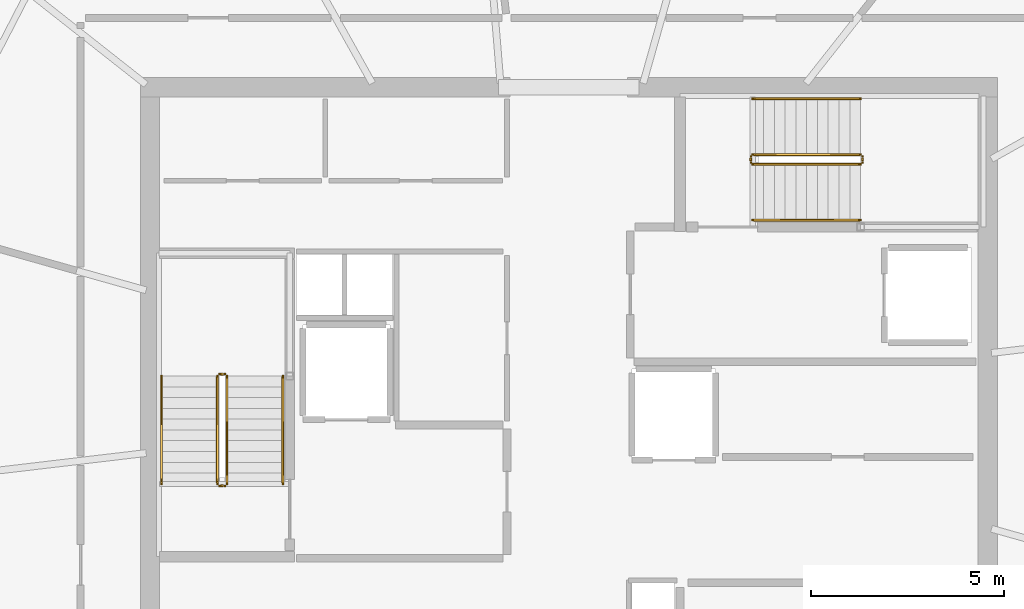
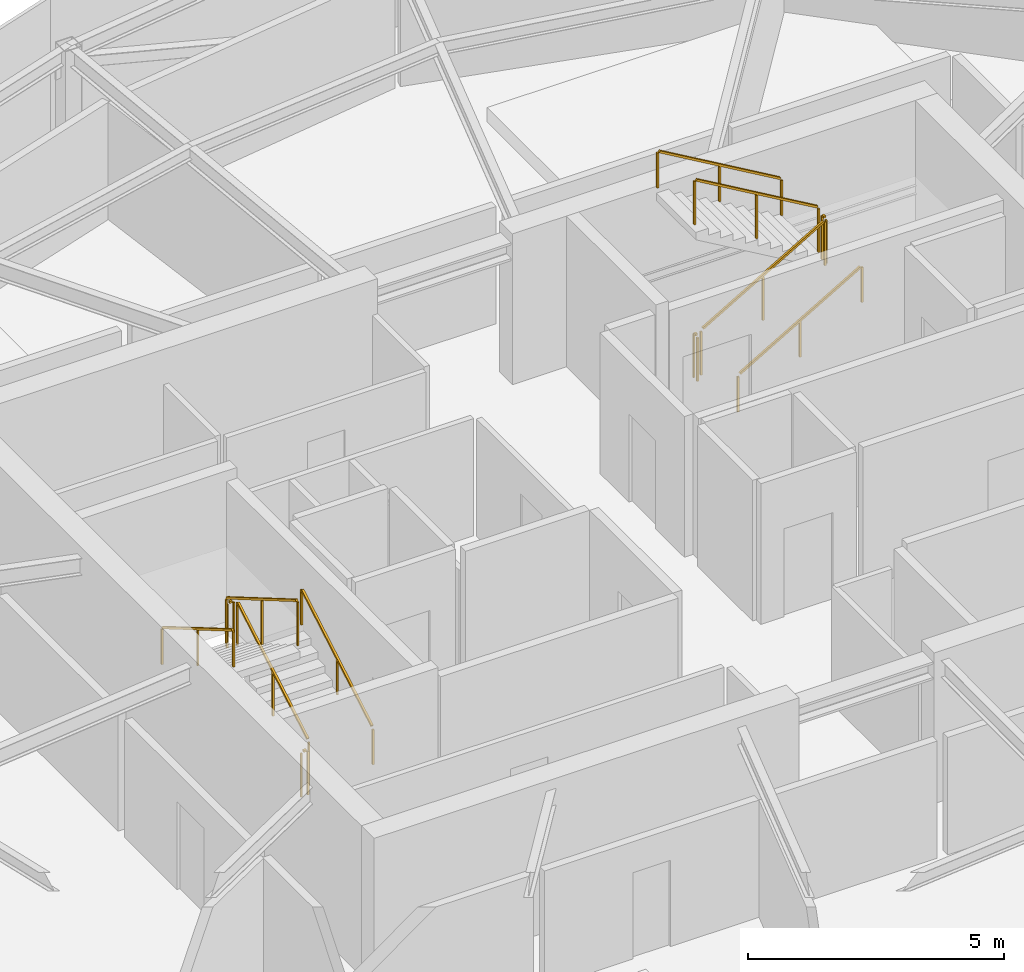
# One storey, part 10 of 10: 12 railings.
"""IFC4 building model written with IfcOpenShell, lengths in metres."""

from ifc_helpers import new_model, si_unit, direction, frame, origin, origin_2d, place, context, subcontext, project, spatial, rectangle, extrude, material, type_object, element, save


model = new_model("IFC4")

# Units and contexts
model_context = context("Model", 3, precision=1e-05, world=origin(), true_north=direction((0.0, 1.0)))
body_context = subcontext(model_context, "Body", "Model", "MODEL_VIEW")
ifc_project = project(units=[si_unit("LENGTHUNIT", "METRE"), si_unit("AREAUNIT", "SQUARE_METRE"), si_unit("VOLUMEUNIT", "CUBIC_METRE"), si_unit("PLANEANGLEUNIT", "RADIAN"), si_unit("MASSUNIT", "GRAM", prefix="KILO")], contexts=[model_context])

# Site, building, storey
site_placement = place(None, origin())
site = spatial("IfcSite", under=ifc_project, at=site_placement, CompositionType="ELEMENT")
building_placement = place(site_placement, origin())
building = spatial("IfcBuilding", under=site, at=building_placement, Name="Kazma Halo Residences", CompositionType="ELEMENT")
storey_placement = place(building_placement, frame((0.0, 0.0, 374.0)))
storey = spatial("IfcBuildingStorey", under=building, at=storey_placement, Name="L94", CompositionType="ELEMENT", Elevation=374.0)

# Railings
ifc_material_1 = material(Name="Painted Steel S355", Category="steel")
railing_type_1 = type_object("IfcRailingType", Name="RLG-STAIR-GRD-1100", PredefinedType="GUARDRAIL", material=ifc_material_1)
railing_1_placement = place(storey_placement, frame((39.550048828125, 39.949951171875, 0.16357421875)))
element("IfcRailing", 1, at=railing_1_placement, inside=storey, type_object=railing_type_1, Name="L94 ST-01 stair guard 1", PredefinedType="GUARDRAIL", context=body_context, shape_type="SweptSolid", body=[
    extrude(rectangle(XDim=0.050048828125, YDim=0.050048828125, at=origin_2d()), frame((0.0, 0.03662109375, 1.096435546875), z_axis=(0.0, 0.863360870873, 0.504586966384), x_axis=(-1.0, 0.0, 0.0)), (0.0, 0.0, 1.0), 3.158203125),
    extrude(rectangle(XDim=0.0400390625, YDim=0.0400390625, at=origin_2d()), origin(), (0.0, 0.0, 1.0), 1.0380859375),
    extrude(rectangle(XDim=0.0400390625, YDim=0.0400390625, at=origin_2d()), frame((0.0, 1.39990234375, 0.818359375)), (0.0, 0.0, 1.0), 1.0380859375),
    extrude(rectangle(XDim=0.0400390625, YDim=0.0400390625, at=origin_2d()), frame((0.0, 2.800048828125, 1.636474609375)), (0.0, 0.0, 1.0), 1.0380859375),
])
railing_2_placement = place(storey_placement, frame((39.5, 42.800048828125, 1.800048828125)))
element("IfcRailing", 2, at=railing_2_placement, inside=storey, type_object=railing_type_1, Name="L94 ST-01 stair guard 2", PredefinedType="GUARDRAIL", context=body_context, shape_type="SweptSolid", body=[
    extrude(rectangle(XDim=0.050048828125, YDim=0.050048828125, at=origin_2d()), frame((-0.04248046875, 0.0, 1.0751953125), z_axis=(-1.0, 0.0, 0.0), x_axis=(0.0, -1.0, 0.0)), (0.0, 0.0, 1.0), 0.06494140625),
    extrude(rectangle(XDim=0.0400390625, YDim=0.0400390625, at=origin_2d()), origin(), (0.0, 0.0, 1.0), 1.0380859375),
    extrude(rectangle(XDim=0.0400390625, YDim=0.0400390625, at=origin_2d()), frame((-0.14990234375, 0.0, 0.0)), (0.0, 0.0, 1.0), 1.0380859375),
])
railing_3_placement = place(storey_placement, frame((39.300048828125, 42.75, 1.963623046875)))
element("IfcRailing", 3, at=railing_3_placement, inside=storey, type_object=railing_type_1, Name="L94 ST-01 stair guard 3", PredefinedType="GUARDRAIL", context=body_context, shape_type="SweptSolid", body=[
    extrude(rectangle(XDim=0.050048828125, YDim=0.050048828125, at=origin_2d()), frame((0.0, -0.03662109375, 1.096435546875), z_axis=(0.0, -0.863360870873, 0.504586966384), x_axis=(1.0, 0.0, 0.0)), (0.0, 0.0, 1.0), 3.158203125),
    extrude(rectangle(XDim=0.0400390625, YDim=0.0400390625, at=origin_2d()), origin(), (0.0, 0.0, 1.0), 1.0380859375),
    extrude(rectangle(XDim=0.0400390625, YDim=0.0400390625, at=origin_2d()), frame((0.0, -1.39990234375, 0.818359375)), (0.0, 0.0, 1.0), 1.0380859375),
    extrude(rectangle(XDim=0.0400390625, YDim=0.0400390625, at=origin_2d()), frame((0.0, -2.800048828125, 1.636474609375)), (0.0, 0.0, 1.0), 1.0380859375),
])
railing_4_placement = place(storey_placement, frame((39.5, 39.89990234375, 0.0)))
element("IfcRailing", 4, at=railing_4_placement, inside=storey, type_object=railing_type_1, Name="L94 ST-01 stair guard 4", PredefinedType="GUARDRAIL", context=body_context, shape_type="SweptSolid", body=[
    extrude(rectangle(XDim=0.050048828125, YDim=0.050048828125, at=origin_2d()), frame((-0.04248046875, 0.0, 1.0751953125), z_axis=(-1.0, 0.0, 0.0), x_axis=(0.0, -1.0, 0.0)), (0.0, 0.0, 1.0), 0.06494140625),
    extrude(rectangle(XDim=0.0400390625, YDim=0.0400390625, at=origin_2d()), origin(), (0.0, 0.0, 1.0), 1.0380859375),
    extrude(rectangle(XDim=0.0400390625, YDim=0.0400390625, at=origin_2d()), frame((-0.14990234375, 0.0, 0.0)), (0.0, 0.0, 1.0), 1.0380859375),
])
railing_5_placement = place(storey_placement, frame((53.199951171875, 48.25, 0.16357421875)))
element("IfcRailing", 5, at=railing_5_placement, inside=storey, type_object=railing_type_1, Name="L94 ST-02 stair guard 1", PredefinedType="GUARDRAIL", context=body_context, shape_type="SweptSolid", body=[
    extrude(rectangle(XDim=0.050048828125, YDim=0.050048828125, at=origin_2d()), frame((0.03662109375, 0.0, 1.096435546875), z_axis=(0.863360870873, 0.0, 0.504586966384), x_axis=(0.0, 1.0, 0.0)), (0.0, 0.0, 1.0), 3.158203125),
    extrude(rectangle(XDim=0.0400390625, YDim=0.0400390625, at=origin_2d()), origin(), (0.0, 0.0, 1.0), 1.0380859375),
    extrude(rectangle(XDim=0.0400390625, YDim=0.0400390625, at=origin_2d()), frame((1.39990234375, 0.0, 0.818359375)), (0.0, 0.0, 1.0), 1.0380859375),
    extrude(rectangle(XDim=0.0400390625, YDim=0.0400390625, at=origin_2d()), frame((2.800048828125, 0.0, 1.636474609375)), (0.0, 0.0, 1.0), 1.0380859375),
])
railing_6_placement = place(storey_placement, frame((56.050048828125, 48.300048828125, 1.800048828125)))
element("IfcRailing", 6, at=railing_6_placement, inside=storey, type_object=railing_type_1, Name="L94 ST-02 stair guard 2", PredefinedType="GUARDRAIL", context=body_context, shape_type="SweptSolid", body=[
    extrude(rectangle(XDim=0.050048828125, YDim=0.050048828125, at=origin_2d()), frame((0.0, 0.04248046875, 1.0751953125), z_axis=(0.0, 1.0, 0.0), x_axis=(-1.0, 0.0, 0.0)), (0.0, 0.0, 1.0), 0.06494140625),
    extrude(rectangle(XDim=0.0400390625, YDim=0.0400390625, at=origin_2d()), origin(), (0.0, 0.0, 1.0), 1.0380859375),
    extrude(rectangle(XDim=0.0400390625, YDim=0.0400390625, at=origin_2d()), frame((0.0, 0.14990234375, 0.0)), (0.0, 0.0, 1.0), 1.0380859375),
])
railing_7_placement = place(storey_placement, frame((56.0, 48.5, 1.963623046875)))
element("IfcRailing", 7, at=railing_7_placement, inside=storey, type_object=railing_type_1, Name="L94 ST-02 stair guard 3", PredefinedType="GUARDRAIL", context=body_context, shape_type="SweptSolid", body=[
    extrude(rectangle(XDim=0.050048828125, YDim=0.050048828125, at=origin_2d()), frame((-0.03662109375, 0.0, 1.096435546875), z_axis=(-0.863360870873, 0.0, 0.504586966384), x_axis=(0.0, -1.0, 0.0)), (0.0, 0.0, 1.0), 3.158203125),
    extrude(rectangle(XDim=0.0400390625, YDim=0.0400390625, at=origin_2d()), origin(), (0.0, 0.0, 1.0), 1.0380859375),
    extrude(rectangle(XDim=0.0400390625, YDim=0.0400390625, at=origin_2d()), frame((-1.39990234375, 0.0, 0.818359375)), (0.0, 0.0, 1.0), 1.0380859375),
    extrude(rectangle(XDim=0.0400390625, YDim=0.0400390625, at=origin_2d()), frame((-2.800048828125, 0.0, 1.636474609375)), (0.0, 0.0, 1.0), 1.0380859375),
])
railing_8_placement = place(storey_placement, frame((53.14990234375, 48.300048828125, 0.0)))
element("IfcRailing", 8, at=railing_8_placement, inside=storey, type_object=railing_type_1, Name="L94 ST-02 stair guard 4", PredefinedType="GUARDRAIL", context=body_context, shape_type="SweptSolid", body=[
    extrude(rectangle(XDim=0.050048828125, YDim=0.050048828125, at=origin_2d()), frame((0.0, 0.04248046875, 1.0751953125), z_axis=(0.0, 1.0, 0.0), x_axis=(-1.0, 0.0, 0.0)), (0.0, 0.0, 1.0), 0.06494140625),
    extrude(rectangle(XDim=0.0400390625, YDim=0.0400390625, at=origin_2d()), origin(), (0.0, 0.0, 1.0), 1.0380859375),
    extrude(rectangle(XDim=0.0400390625, YDim=0.0400390625, at=origin_2d()), frame((0.0, 0.14990234375, 0.0)), (0.0, 0.0, 1.0), 1.0380859375),
])
ifc_material_2 = material(Name="Brushed Stainless Steel", Category="steel")
railing_type_2 = type_object("IfcRailingType", Name="RLG-STAIR-HND-900", PredefinedType="HANDRAIL", material=ifc_material_2)
railing_9_placement = place(storey_placement, frame((41.0, 39.949951171875, 0.16357421875)))
element("IfcRailing", 9, at=railing_9_placement, inside=storey, type_object=railing_type_2, Name="L94 ST-01 stair handrail 1", PredefinedType="HANDRAIL", context=body_context, shape_type="SweptSolid", body=[
    extrude(rectangle(XDim=0.050048828125, YDim=0.050048828125, at=origin_2d()), frame((0.0, 0.03662109375, 0.896240234375), z_axis=(0.0, 0.863360870873, 0.504586966384), x_axis=(-1.0, 0.0, 0.0)), (0.0, 0.0, 1.0), 3.158203125),
    extrude(rectangle(XDim=0.0400390625, YDim=0.0400390625, at=origin_2d()), origin(), (0.0, 0.0, 1.0), 0.837890625),
    extrude(rectangle(XDim=0.0400390625, YDim=0.0400390625, at=origin_2d()), frame((0.0, 1.39990234375, 0.818359375)), (0.0, 0.0, 1.0), 0.837890625),
    extrude(rectangle(XDim=0.0400390625, YDim=0.0400390625, at=origin_2d()), frame((0.0, 2.800048828125, 1.636474609375)), (0.0, 0.0, 1.0), 0.837890625),
])
railing_10_placement = place(storey_placement, frame((37.85009765625, 42.75, 1.963623046875)))
element("IfcRailing", 10, at=railing_10_placement, inside=storey, type_object=railing_type_2, Name="L94 ST-01 stair handrail 2", PredefinedType="HANDRAIL", context=body_context, shape_type="SweptSolid", body=[
    extrude(rectangle(XDim=0.050048828125, YDim=0.050048828125, at=origin_2d()), frame((0.0, -0.03662109375, 0.896240234375), z_axis=(0.0, -0.863360870873, 0.504586966384), x_axis=(1.0, 0.0, 0.0)), (0.0, 0.0, 1.0), 3.158203125),
    extrude(rectangle(XDim=0.0400390625, YDim=0.0400390625, at=origin_2d()), origin(), (0.0, 0.0, 1.0), 0.837890625),
    extrude(rectangle(XDim=0.0400390625, YDim=0.0400390625, at=origin_2d()), frame((0.0, -1.39990234375, 0.818359375)), (0.0, 0.0, 1.0), 0.837890625),
    extrude(rectangle(XDim=0.0400390625, YDim=0.0400390625, at=origin_2d()), frame((0.0, -2.800048828125, 1.636474609375)), (0.0, 0.0, 1.0), 0.837890625),
])
railing_11_placement = place(storey_placement, frame((53.199951171875, 46.800048828125, 0.16357421875)))
element("IfcRailing", 11, at=railing_11_placement, inside=storey, type_object=railing_type_2, Name="L94 ST-02 stair handrail 1", PredefinedType="HANDRAIL", context=body_context, shape_type="SweptSolid", body=[
    extrude(rectangle(XDim=0.050048828125, YDim=0.050048828125, at=origin_2d()), frame((0.03662109375, 0.0, 0.896240234375), z_axis=(0.863360870873, 0.0, 0.504586966384), x_axis=(0.0, 1.0, 0.0)), (0.0, 0.0, 1.0), 3.158203125),
    extrude(rectangle(XDim=0.0400390625, YDim=0.0400390625, at=origin_2d()), origin(), (0.0, 0.0, 1.0), 0.837890625),
    extrude(rectangle(XDim=0.0400390625, YDim=0.0400390625, at=origin_2d()), frame((1.39990234375, 0.0, 0.818359375)), (0.0, 0.0, 1.0), 0.837890625),
    extrude(rectangle(XDim=0.0400390625, YDim=0.0400390625, at=origin_2d()), frame((2.800048828125, 0.0, 1.636474609375)), (0.0, 0.0, 1.0), 0.837890625),
])
railing_12_placement = place(storey_placement, frame((56.0, 49.949951171875, 1.963623046875)))
element("IfcRailing", 12, at=railing_12_placement, inside=storey, type_object=railing_type_2, Name="L94 ST-02 stair handrail 2", PredefinedType="HANDRAIL", context=body_context, shape_type="SweptSolid", body=[
    extrude(rectangle(XDim=0.050048828125, YDim=0.050048828125, at=origin_2d()), frame((-0.03662109375, 0.0, 0.896240234375), z_axis=(-0.863360870873, 0.0, 0.504586966384), x_axis=(0.0, -1.0, 0.0)), (0.0, 0.0, 1.0), 3.158203125),
    extrude(rectangle(XDim=0.0400390625, YDim=0.0400390625, at=origin_2d()), origin(), (0.0, 0.0, 1.0), 0.837890625),
    extrude(rectangle(XDim=0.0400390625, YDim=0.0400390625, at=origin_2d()), frame((-1.39990234375, 0.0, 0.818359375)), (0.0, 0.0, 1.0), 0.837890625),
    extrude(rectangle(XDim=0.0400390625, YDim=0.0400390625, at=origin_2d()), frame((-2.800048828125, 0.0, 1.636474609375)), (0.0, 0.0, 1.0), 0.837890625),
])

save(model, "model.ifc")
